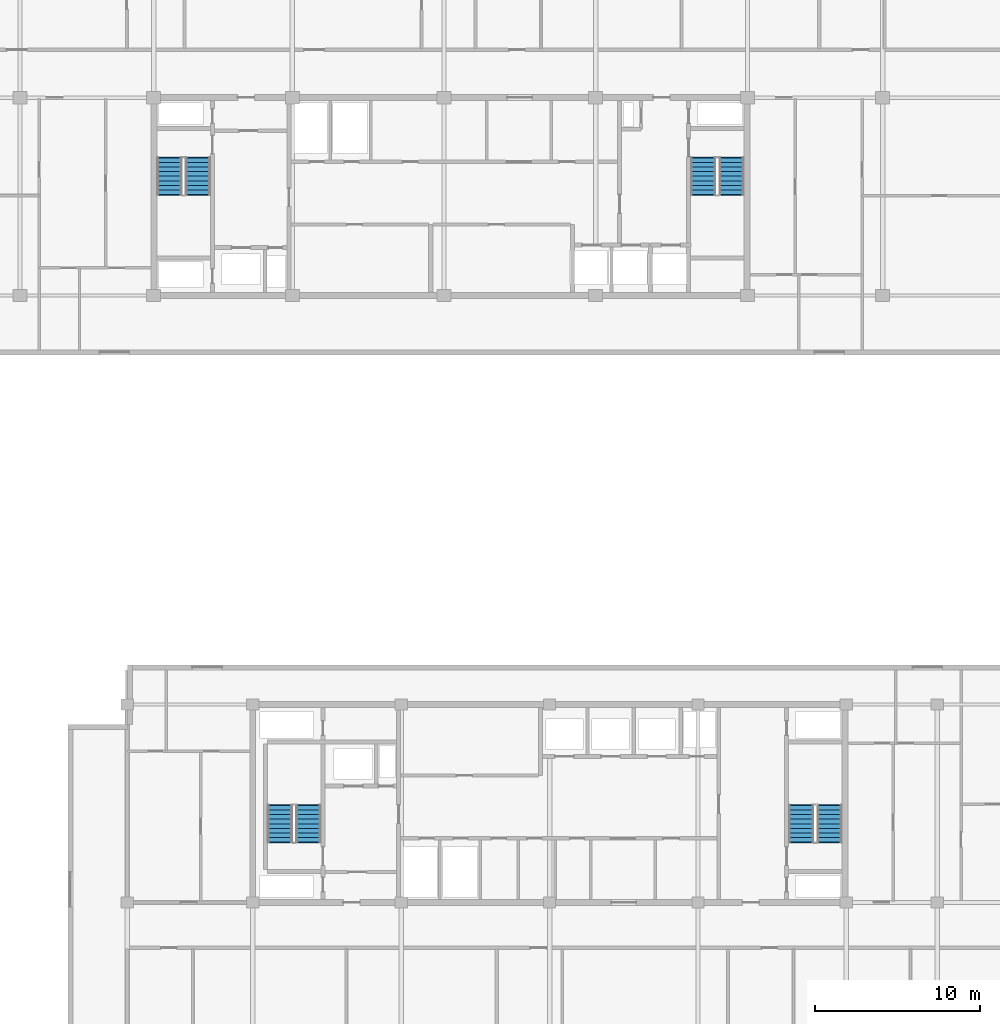
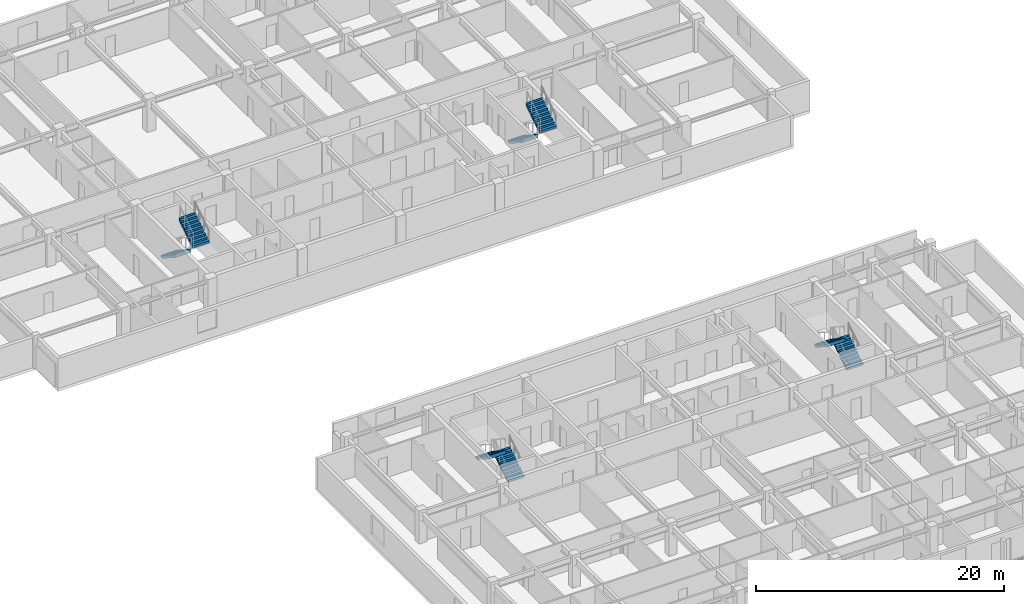
# One storey, part 17 of 22: 8 stair flights, 4 elements without a shape of their own.
"""IFC4 building model written with IfcOpenShell, lengths in metres."""

from ifc_helpers import new_model, si_unit, direction, frame, origin, place, context, subcontext, project, spatial, polyline, outline, extrude, material, type_object, element, aggregate, save


model = new_model("IFC4")

# Units and contexts
model_context = context("Model", 3, precision=1e-05, world=origin(), true_north=direction((0.0, 1.0)))
body_context = subcontext(model_context, "Body", "Model", "MODEL_VIEW")
ifc_project = project(units=[si_unit("LENGTHUNIT", "METRE"), si_unit("AREAUNIT", "SQUARE_METRE"), si_unit("VOLUMEUNIT", "CUBIC_METRE"), si_unit("PLANEANGLEUNIT", "RADIAN"), si_unit("MASSUNIT", "GRAM", prefix="KILO")], contexts=[model_context])

# Site, building, storey
site_placement = place(None, origin())
site = spatial("IfcSite", under=ifc_project, at=site_placement, CompositionType="ELEMENT")
building_placement = place(site_placement, origin())
building = spatial("IfcBuilding", under=site, at=building_placement, Name="Korimba Cascade Residences", CompositionType="ELEMENT")
storey_placement = place(building_placement, frame((0.0, 0.0, 197.85009765625)))
storey = spatial("IfcBuildingStorey", under=building, at=storey_placement, Name="L57", CompositionType="ELEMENT", Elevation=197.85009765625)

# Stair, stair flights
ifc_material = material(Name="Concrete C50/60", Category="concrete")
stair_type_1 = type_object("IfcStairType", Name="STR-W1-18R-1806", PredefinedType="HALF_TURN_STAIR", material=ifc_material)
stair_1_placement = place(storey_placement, origin())
stair_1 = element("IfcStair", 1, at=stair_1_placement, inside=storey, type_object=stair_type_1, Name="L57 Tower 1 West Fire Stair ST-W1", PredefinedType="HALF_TURN_STAIR")
stair_flight_type = type_object("IfcStairFlightType", Name="STF-DL-18R-1806-1520", PredefinedType="STRAIGHT", material=ifc_material)
stair_flight_1_placement = place(storey_placement, frame((77.06005859375, 63.550048828125, 0.0), z_axis=(0.0, 0.0, 1.0), x_axis=(0.0, -1.0, 0.0)))
stair_flight_1 = element("IfcStairFlight", 2, at=stair_flight_1_placement, type_object=stair_flight_type, Name="ST-W1 flight 1", NumberOfRisers=9, NumberOfTreads=8, PredefinedType="STRAIGHT", RiserHeight=0.180555556, TreadLength=0.28, context=body_context, shape_type="SweptSolid", body=[
    extrude(outline(polyline([(-0.0380859375, 0.0), (0.0, 0.1806640625), (0.280029296875, 0.1806640625), (0.280029296875, 0.361083984375), (0.56005859375, 0.361083984375), (0.56005859375, 0.541748046875), (0.840087890625, 0.541748046875), (0.840087890625, 0.72216796875), (1.1201171875, 0.72216796875), (1.1201171875, 0.90283203125), (1.39990234375, 0.90283203125), (1.39990234375, 1.083251953125), (1.679931640625, 1.083251953125), (1.679931640625, 1.263916015625), (1.9599609375, 1.263916015625), (1.9599609375, 1.4443359375), (2.239990234375, 1.4443359375), (2.239990234375, 1.625), (2.278076171875, 1.625), (2.278076171875, 1.26611328125), (0.276611328125, 0.0), (0.276611328125, -0.0380859375), (-0.0380859375, -0.0380859375), (-0.0380859375, 0.0)])), frame((0.0, 0.760009765625, 0.0), z_axis=(0.0, -1.0, 0.0), x_axis=(1.0, 0.0, 0.0)), (0.0, 0.0, 1.0), 1.52001953125),
])
stair_flight_2_placement = place(storey_placement, frame((78.780029296875, 61.31005859375, 1.625), z_axis=(0.0, 0.0, 1.0), x_axis=(0.0, 1.0, 0.0)))
stair_flight_2 = element("IfcStairFlight", 3, at=stair_flight_2_placement, type_object=stair_flight_type, Name="ST-W1 flight 2", NumberOfRisers=9, NumberOfTreads=8, PredefinedType="STRAIGHT", RiserHeight=0.180555556, TreadLength=0.28, context=body_context, shape_type="SweptSolid", body=[
    extrude(outline(polyline([(-0.0380859375, 0.0), (0.0, 0.1806640625), (0.280029296875, 0.1806640625), (0.280029296875, 0.361083984375), (0.56005859375, 0.361083984375), (0.56005859375, 0.541748046875), (0.840087890625, 0.541748046875), (0.840087890625, 0.72216796875), (1.1201171875, 0.72216796875), (1.1201171875, 0.90283203125), (1.39990234375, 0.90283203125), (1.39990234375, 1.083251953125), (1.679931640625, 1.083251953125), (1.679931640625, 1.263916015625), (1.9599609375, 1.263916015625), (1.9599609375, 1.4443359375), (2.239990234375, 1.4443359375), (2.239990234375, 1.625), (2.278076171875, 1.625), (2.278076171875, 1.26611328125), (0.276611328125, 0.0), (0.276611328125, -0.0380859375), (-0.0380859375, -0.0380859375), (-0.0380859375, 0.0)])), frame((0.0, 0.760009765625, 0.0), z_axis=(0.0, -1.0, 0.0), x_axis=(1.0, 0.0, 0.0)), (0.0, 0.0, 1.0), 1.52001953125),
])
aggregate(stair_1, [stair_flight_1, stair_flight_2])

stair_type_2 = type_object("IfcStairType", Name="STR-W2-18R-1806", PredefinedType="HALF_TURN_STAIR", material=ifc_material)
stair_2_placement = place(storey_placement, origin())
stair_2 = element("IfcStair", 4, at=stair_2_placement, inside=storey, type_object=stair_type_2, Name="L57 Tower 1 East Fire Stair ST-W2", PredefinedType="HALF_TURN_STAIR")
stair_flight_3_placement = place(storey_placement, frame((109.419921875, 63.550048828125, 0.0), z_axis=(0.0, 0.0, 1.0), x_axis=(0.0, -1.0, 0.0)))
stair_flight_3 = element("IfcStairFlight", 5, at=stair_flight_3_placement, type_object=stair_flight_type, Name="ST-W2 flight 1", NumberOfRisers=9, NumberOfTreads=8, PredefinedType="STRAIGHT", RiserHeight=0.180555556, TreadLength=0.28, context=body_context, shape_type="SweptSolid", body=[
    extrude(outline(polyline([(-0.0380859375, 0.0), (0.0, 0.1806640625), (0.280029296875, 0.1806640625), (0.280029296875, 0.361083984375), (0.56005859375, 0.361083984375), (0.56005859375, 0.541748046875), (0.840087890625, 0.541748046875), (0.840087890625, 0.72216796875), (1.1201171875, 0.72216796875), (1.1201171875, 0.90283203125), (1.39990234375, 0.90283203125), (1.39990234375, 1.083251953125), (1.679931640625, 1.083251953125), (1.679931640625, 1.263916015625), (1.9599609375, 1.263916015625), (1.9599609375, 1.4443359375), (2.239990234375, 1.4443359375), (2.239990234375, 1.625), (2.278076171875, 1.625), (2.278076171875, 1.26611328125), (0.276611328125, 0.0), (0.276611328125, -0.0380859375), (-0.0380859375, -0.0380859375), (-0.0380859375, 0.0)])), frame((0.0, 0.760009765625, 0.0), z_axis=(0.0, -1.0, 0.0), x_axis=(1.0, 0.0, 0.0)), (0.0, 0.0, 1.0), 1.52001953125),
])
stair_flight_4_placement = place(storey_placement, frame((111.139892578125, 61.31005859375, 1.625), z_axis=(0.0, 0.0, 1.0), x_axis=(0.0, 1.0, 0.0)))
stair_flight_4 = element("IfcStairFlight", 6, at=stair_flight_4_placement, type_object=stair_flight_type, Name="ST-W2 flight 2", NumberOfRisers=9, NumberOfTreads=8, PredefinedType="STRAIGHT", RiserHeight=0.180555556, TreadLength=0.28, context=body_context, shape_type="SweptSolid", body=[
    extrude(outline(polyline([(-0.0380859375, 0.0), (0.0, 0.1806640625), (0.280029296875, 0.1806640625), (0.280029296875, 0.361083984375), (0.56005859375, 0.361083984375), (0.56005859375, 0.541748046875), (0.840087890625, 0.541748046875), (0.840087890625, 0.72216796875), (1.1201171875, 0.72216796875), (1.1201171875, 0.90283203125), (1.39990234375, 0.90283203125), (1.39990234375, 1.083251953125), (1.679931640625, 1.083251953125), (1.679931640625, 1.263916015625), (1.9599609375, 1.263916015625), (1.9599609375, 1.4443359375), (2.239990234375, 1.4443359375), (2.239990234375, 1.625), (2.278076171875, 1.625), (2.278076171875, 1.26611328125), (0.276611328125, 0.0), (0.276611328125, -0.0380859375), (-0.0380859375, -0.0380859375), (-0.0380859375, 0.0)])), frame((0.0, 0.760009765625, 0.0), z_axis=(0.0, -1.0, 0.0), x_axis=(1.0, 0.0, 0.0)), (0.0, 0.0, 1.0), 1.52001953125),
])
aggregate(stair_2, [stair_flight_3, stair_flight_4])

stair_type_3 = type_object("IfcStairType", Name="STR-E1-18R-1806", PredefinedType="HALF_TURN_STAIR", material=ifc_material)
stair_3_placement = place(storey_placement, origin())
stair_3 = element("IfcStair", 7, at=stair_3_placement, inside=storey, type_object=stair_type_3, Name="L57 Tower 2 West Fire Stair ST-E1", PredefinedType="HALF_TURN_STAIR")
stair_flight_5_placement = place(storey_placement, frame((85.47998046875, 22.050048828125, 0.0), z_axis=(0.0, 0.0, 1.0), x_axis=(0.0, 1.0, 0.0)))
stair_flight_5 = element("IfcStairFlight", 8, at=stair_flight_5_placement, type_object=stair_flight_type, Name="ST-E1 flight 1", NumberOfRisers=9, NumberOfTreads=8, PredefinedType="STRAIGHT", RiserHeight=0.180555556, TreadLength=0.28, context=body_context, shape_type="SweptSolid", body=[
    extrude(outline(polyline([(-0.0380859375, 0.0), (0.0, 0.1806640625), (0.280029296875, 0.1806640625), (0.280029296875, 0.361083984375), (0.56005859375, 0.361083984375), (0.56005859375, 0.541748046875), (0.840087890625, 0.541748046875), (0.840087890625, 0.72216796875), (1.1201171875, 0.72216796875), (1.1201171875, 0.90283203125), (1.39990234375, 0.90283203125), (1.39990234375, 1.083251953125), (1.679931640625, 1.083251953125), (1.679931640625, 1.263916015625), (1.9599609375, 1.263916015625), (1.9599609375, 1.4443359375), (2.239990234375, 1.4443359375), (2.239990234375, 1.625), (2.278076171875, 1.625), (2.278076171875, 1.26611328125), (0.276611328125, 0.0), (0.276611328125, -0.0380859375), (-0.0380859375, -0.0380859375), (-0.0380859375, 0.0)])), frame((0.0, 0.760009765625, 0.0), z_axis=(0.0, -1.0, 0.0), x_axis=(1.0, 0.0, 0.0)), (0.0, 0.0, 1.0), 1.52001953125),
])
stair_flight_6_placement = place(storey_placement, frame((83.760009765625, 24.2900390625, 1.625), z_axis=(0.0, 0.0, 1.0), x_axis=(0.0, -1.0, 0.0)))
stair_flight_6 = element("IfcStairFlight", 9, at=stair_flight_6_placement, type_object=stair_flight_type, Name="ST-E1 flight 2", NumberOfRisers=9, NumberOfTreads=8, PredefinedType="STRAIGHT", RiserHeight=0.180555556, TreadLength=0.28, context=body_context, shape_type="SweptSolid", body=[
    extrude(outline(polyline([(-0.0380859375, 0.0), (0.0, 0.1806640625), (0.280029296875, 0.1806640625), (0.280029296875, 0.361083984375), (0.56005859375, 0.361083984375), (0.56005859375, 0.541748046875), (0.840087890625, 0.541748046875), (0.840087890625, 0.72216796875), (1.1201171875, 0.72216796875), (1.1201171875, 0.90283203125), (1.39990234375, 0.90283203125), (1.39990234375, 1.083251953125), (1.679931640625, 1.083251953125), (1.679931640625, 1.263916015625), (1.9599609375, 1.263916015625), (1.9599609375, 1.4443359375), (2.239990234375, 1.4443359375), (2.239990234375, 1.625), (2.278076171875, 1.625), (2.278076171875, 1.26611328125), (0.276611328125, 0.0), (0.276611328125, -0.0380859375), (-0.0380859375, -0.0380859375), (-0.0380859375, 0.0)])), frame((0.0, 0.760009765625, 0.0), z_axis=(0.0, -1.0, 0.0), x_axis=(1.0, 0.0, 0.0)), (0.0, 0.0, 1.0), 1.52001953125),
])
aggregate(stair_3, [stair_flight_5, stair_flight_6])

stair_type_4 = type_object("IfcStairType", Name="STR-E2-18R-1806", PredefinedType="HALF_TURN_STAIR", material=ifc_material)
stair_4_placement = place(storey_placement, origin())
stair_4 = element("IfcStair", 10, at=stair_4_placement, inside=storey, type_object=stair_type_4, Name="L57 Tower 2 East Fire Stair ST-E2", PredefinedType="HALF_TURN_STAIR")
stair_flight_7_placement = place(storey_placement, frame((117.080078125, 22.050048828125, 0.0), z_axis=(0.0, 0.0, 1.0), x_axis=(0.0, 1.0, 0.0)))
stair_flight_7 = element("IfcStairFlight", 11, at=stair_flight_7_placement, type_object=stair_flight_type, Name="ST-E2 flight 1", NumberOfRisers=9, NumberOfTreads=8, PredefinedType="STRAIGHT", RiserHeight=0.180555556, TreadLength=0.28, context=body_context, shape_type="SweptSolid", body=[
    extrude(outline(polyline([(-0.0380859375, 0.0), (0.0, 0.1806640625), (0.280029296875, 0.1806640625), (0.280029296875, 0.361083984375), (0.56005859375, 0.361083984375), (0.56005859375, 0.541748046875), (0.840087890625, 0.541748046875), (0.840087890625, 0.72216796875), (1.1201171875, 0.72216796875), (1.1201171875, 0.90283203125), (1.39990234375, 0.90283203125), (1.39990234375, 1.083251953125), (1.679931640625, 1.083251953125), (1.679931640625, 1.263916015625), (1.9599609375, 1.263916015625), (1.9599609375, 1.4443359375), (2.239990234375, 1.4443359375), (2.239990234375, 1.625), (2.278076171875, 1.625), (2.278076171875, 1.26611328125), (0.276611328125, 0.0), (0.276611328125, -0.0380859375), (-0.0380859375, -0.0380859375), (-0.0380859375, 0.0)])), frame((0.0, 0.760009765625, 0.0), z_axis=(0.0, -1.0, 0.0), x_axis=(1.0, 0.0, 0.0)), (0.0, 0.0, 1.0), 1.52001953125),
])
stair_flight_8_placement = place(storey_placement, frame((115.360107421875, 24.2900390625, 1.625), z_axis=(0.0, 0.0, 1.0), x_axis=(0.0, -1.0, 0.0)))
stair_flight_8 = element("IfcStairFlight", 12, at=stair_flight_8_placement, type_object=stair_flight_type, Name="ST-E2 flight 2", NumberOfRisers=9, NumberOfTreads=8, PredefinedType="STRAIGHT", RiserHeight=0.180555556, TreadLength=0.28, context=body_context, shape_type="SweptSolid", body=[
    extrude(outline(polyline([(-0.0380859375, 0.0), (0.0, 0.1806640625), (0.280029296875, 0.1806640625), (0.280029296875, 0.361083984375), (0.56005859375, 0.361083984375), (0.56005859375, 0.541748046875), (0.840087890625, 0.541748046875), (0.840087890625, 0.72216796875), (1.1201171875, 0.72216796875), (1.1201171875, 0.90283203125), (1.39990234375, 0.90283203125), (1.39990234375, 1.083251953125), (1.679931640625, 1.083251953125), (1.679931640625, 1.263916015625), (1.9599609375, 1.263916015625), (1.9599609375, 1.4443359375), (2.239990234375, 1.4443359375), (2.239990234375, 1.625), (2.278076171875, 1.625), (2.278076171875, 1.26611328125), (0.276611328125, 0.0), (0.276611328125, -0.0380859375), (-0.0380859375, -0.0380859375), (-0.0380859375, 0.0)])), frame((0.0, 0.760009765625, 0.0), z_axis=(0.0, -1.0, 0.0), x_axis=(1.0, 0.0, 0.0)), (0.0, 0.0, 1.0), 1.52001953125),
])
aggregate(stair_4, [stair_flight_7, stair_flight_8])

save(model, "model.ifc")
